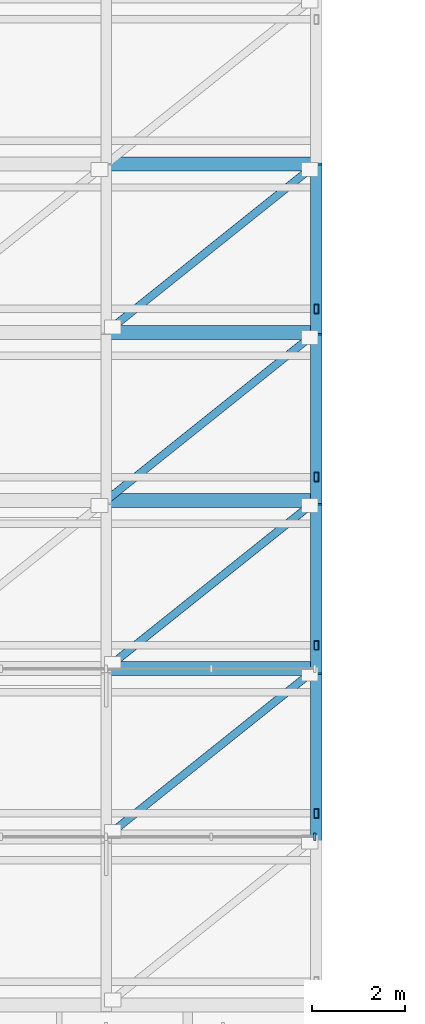
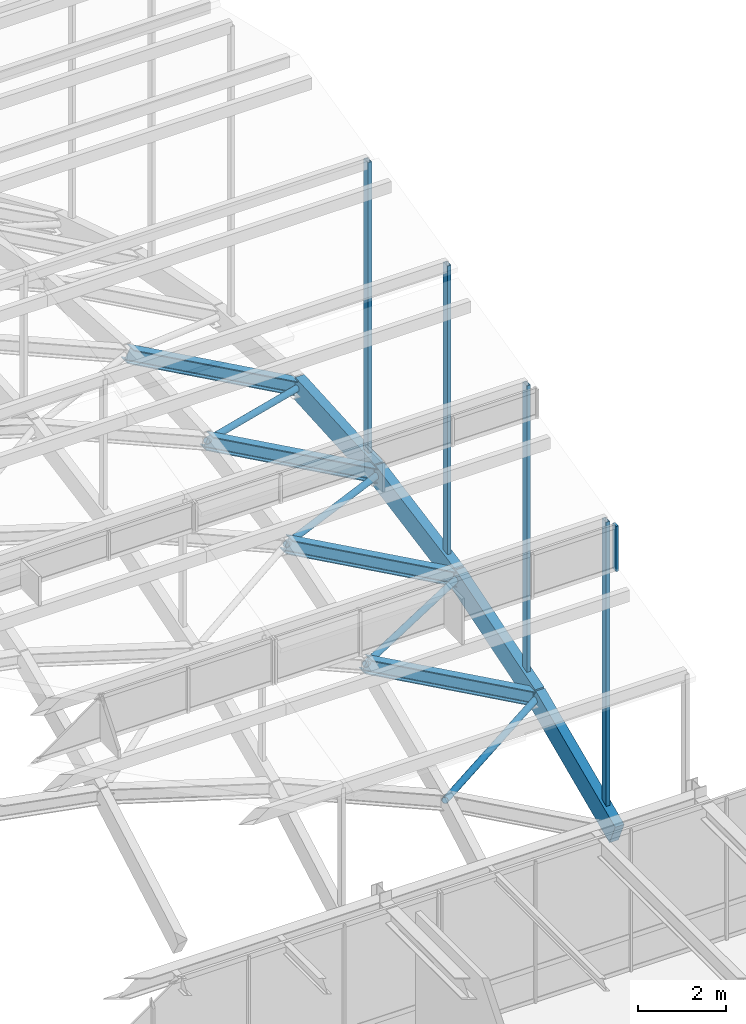
# One storey, part 25 of 69: 9 members, 8 beams, 1 element without a shape of its own.
"""IFC4 building model written with IfcOpenShell, lengths in metres."""

from ifc_helpers import new_model, si_unit, direction, frame, origin, origin_2d, place, context, subcontext, project, spatial, rectangle, hollow_rectangle, hollow_circle, i_section, extrude, material, layer, layer_set, material_profile, profile_set, type_object, element, aggregate, save


model = new_model("IFC4")

# Units and contexts
model_context = context("Model", 3, precision=1e-05, world=origin(), true_north=direction((0.0, 1.0)))
body_context = subcontext(model_context, "Body", "Model", "MODEL_VIEW")
ifc_project = project(units=[si_unit("LENGTHUNIT", "METRE"), si_unit("AREAUNIT", "SQUARE_METRE"), si_unit("VOLUMEUNIT", "CUBIC_METRE"), si_unit("PLANEANGLEUNIT", "RADIAN"), si_unit("MASSUNIT", "GRAM", prefix="KILO")], contexts=[model_context])

# Site, building, storey
site_placement = place(None, origin())
site = spatial("IfcSite", under=ifc_project, at=site_placement, CompositionType="ELEMENT")
building_placement = place(site_placement, origin())
building = spatial("IfcBuilding", under=site, at=building_placement, Name="Montealbar Specialist Clinic", CompositionType="ELEMENT")
storey_placement = place(building_placement, frame((0.0, 0.0, 9.60009765625)))
storey = spatial("IfcBuildingStorey", under=building, at=storey_placement, Name="L02", CompositionType="ELEMENT", Elevation=9.60009765625)

# Beams
ifc_material_1 = material(Name="Steel S355", Category="steel")
ifc_material_profile_1 = material_profile(ifc_material_1, i_section(OverallWidth=0.300048828125, OverallDepth=0.360107421875, WebThickness=0.012451171875, FlangeThickness=0.0224609375, FilletRadius=0.027099609375, at=origin_2d()), Name="HEB 360", Category="steel")
ifc_profile_set_1 = profile_set([ifc_material_profile_1], Name="Steel S355")
beam_type_1 = type_object("IfcBeamType", Name="BM-GIRD-HEB360-EXT", PredefinedType="BEAM", material=ifc_profile_set_1)
for number, where, z_axis, x_axis, name in (
    (1, (94.5, 52.199951171875, 4.703857421875), (0.874579956814, 0.0, -0.484881324799), (0.0, 1.0, 0.0), "Gridshell Roof Truss Arch Rib X 2-9"),
    (2, (94.5, 55.800048828125, 5.837890625), (0.874579956814, 0.0, -0.484881324799), (0.0, 1.0, 0.0), "Gridshell Roof Truss Arch Rib X 3-9"),
    (3, (94.5, 59.39990234375, 6.517822265625), (0.874579956814, 0.0, -0.484881324799), (0.0, 1.0, 0.0), "Gridshell Roof Truss Arch Rib X 4-9"),
    (4, (94.5, 63.0, 6.744873046875), (0.874579956814, 0.0, -0.484881324799), (0.0, 1.0, 0.0), "Gridshell Roof Truss Arch Rib X 5-9"),
):
    element("IfcBeam", number, at=place(storey_placement, frame(where, z_axis=z_axis, x_axis=x_axis)), inside=storey, type_object=beam_type_1, Name=name, PredefinedType="BEAM", context=body_context, shape_type="SweptSolid", body=[
        extrude(i_section(OverallWidth=0.300048828125, OverallDepth=0.360107421875, WebThickness=0.012451171875, FlangeThickness=0.0224609375, FilletRadius=0.027099609375, at=origin_2d()), origin(), (0.0, 0.0, 1.0), 5.145263671875),
    ])
ifc_material_2 = material(Name="Glulam GL28h", Category="wood")
ifc_material_profile_2 = material_profile(ifc_material_2, rectangle(XDim=0.239990234375, YDim=0.639892578125, at=origin_2d()), Name="GL28h 240x640", Category="wood")
ifc_profile_set_2 = profile_set([ifc_material_profile_2], Name="Glulam GL28h")
beam_type_2 = type_object("IfcBeamType", Name="BM-GL-240x640-EXT", PredefinedType="BEAM", material=ifc_profile_set_2)
beam_1_placement = place(storey_placement, frame((99.0, 48.60009765625, 0.620849609375), z_axis=(0.0, 0.914921171359, 0.403632568307), x_axis=(-1.0, 0.0, 0.0)))
element("IfcBeam", 5, at=beam_1_placement, inside=storey, type_object=beam_type_2, Name="Gridshell Glulam Roof Truss Rib Y 10-1", PredefinedType="BEAM", context=body_context, shape_type="SweptSolid", body=[
    extrude(rectangle(XDim=0.239990234375, YDim=0.639892578125, at=origin_2d()), origin(), (0.0, 0.0, 1.0), 3.9345703125),
])
beam_2_placement = place(storey_placement, frame((99.0, 52.199951171875, 2.208984375), z_axis=(0.0, 0.953798460342, 0.300447161826), x_axis=(-1.0, 0.0, 0.0)))
element("IfcBeam", 6, at=beam_2_placement, inside=storey, type_object=beam_type_2, Name="Gridshell Glulam Roof Truss Rib Y 10-2", PredefinedType="BEAM", context=body_context, shape_type="SweptSolid", body=[
    extrude(rectangle(XDim=0.239990234375, YDim=0.639892578125, at=origin_2d()), origin(), (0.0, 0.0, 1.0), 3.7744140625),
])
beam_3_placement = place(storey_placement, frame((99.0, 55.800048828125, 3.343017578125), z_axis=(0.0, 0.982626127294, 0.185596050493), x_axis=(-1.0, 0.0, 0.0)))
element("IfcBeam", 7, at=beam_3_placement, inside=storey, type_object=beam_type_2, Name="Gridshell Glulam Roof Truss Rib Y 10-3", PredefinedType="BEAM", context=body_context, shape_type="SweptSolid", body=[
    extrude(rectangle(XDim=0.239990234375, YDim=0.639892578125, at=origin_2d()), origin(), (0.0, 0.0, 1.0), 3.66357421875),
])
beam_4_placement = place(storey_placement, frame((99.0, 59.39990234375, 4.02294921875), z_axis=(0.0, 0.998017130092, 0.062942895089), x_axis=(-1.0, 0.0, 0.0)))
element("IfcBeam", 8, at=beam_4_placement, inside=storey, type_object=beam_type_2, Name="Gridshell Glulam Roof Truss Rib Y 10-4", PredefinedType="BEAM", context=body_context, shape_type="SweptSolid", body=[
    extrude(rectangle(XDim=0.239990234375, YDim=0.639892578125, at=origin_2d()), origin(), (0.0, 0.0, 1.0), 3.607177734375),
])

# Curtain wall, member
ifc_material_3 = material(Name="Low-E double glazing", Category="glass")
ifc_layer = layer(ifc_material_3, 0.199951171875, Name="Low-E double glazing", Category="glass")
ifc_layer_set = layer_set([ifc_layer], Name="Low-E double glazing")
curtain_wall_type = type_object("IfcCurtainWallType", Name="CW-TYPE-47", PredefinedType="NOTDEFINED", material=ifc_layer_set)
curtain_wall_placement = place(storey_placement, origin())
curtain_wall = element("IfcCurtainWall", 9, at=curtain_wall_placement, inside=storey, type_object=curtain_wall_type, Name="Unitised Curtain Wall CW-L02-900-486-990-486-175", PredefinedType="NOTDEFINED")
ifc_material_4 = material(Name="Anodised aluminium EN AW-6063", Category="aluminium")
ifc_material_profile_3 = material_profile(ifc_material_4, rectangle(XDim=0.06005859375, YDim=0.159912109375, at=origin_2d()), Name="ALU 60x160", Category="aluminium")
ifc_profile_set_3 = profile_set([ifc_material_profile_3], Name="Anodised aluminium EN AW-6063")
member_type_1 = type_object("IfcMemberType", Name="CW-MUL-160", PredefinedType="MULLION", material=ifc_profile_set_3)
member_1_placement = place(storey_placement, frame((98.965087890625, 48.60009765625, 7.933837890625), z_axis=(0.0, 0.0, 1.0), x_axis=(1.0, 0.0, 0.0)))
member_1 = element("IfcMember", 10, at=member_1_placement, type_object=member_type_1, Name="Curtain Wall Mullion CW-L02-900-486-990-486-175-04", PredefinedType="MULLION", context=body_context, shape_type="SweptSolid", body=[
    extrude(rectangle(XDim=0.06005859375, YDim=0.159912109375, at=origin_2d()), origin(), (0.0, 0.0, 1.0), 1.257080078125),
])
aggregate(curtain_wall, [member_1])

# Members
ifc_material_profile_4 = material_profile(ifc_material_1, hollow_circle(Radius=0.084228515625, WallThickness=0.008056640625, at=origin_2d()), Name="CHS 168.3x8.0", Category="steel")
ifc_profile_set_4 = profile_set([ifc_material_profile_4], Name="Steel S355")
member_type_2 = type_object("IfcMemberType", Name="MB-GS-DIAG-EXT", PredefinedType="BRACE", material=ifc_profile_set_4)
member_2_placement = place(storey_placement, frame((94.5, 48.60009765625, 3.115966796875), z_axis=(0.771385674727, 0.617083429571, -0.155474054992), x_axis=(-0.624679547852, 0.780881208953, 0.0)))
element("IfcMember", 11, at=member_2_placement, inside=storey, type_object=member_type_2, Name="Gridshell Roof Brace 9-1", PredefinedType="BRACE", context=body_context, shape_type="SweptSolid", body=[
    extrude(hollow_circle(Radius=0.084228515625, WallThickness=0.008056640625, at=origin_2d()), origin(), (0.0, 0.0, 1.0), 5.833740234375),
])
member_3_placement = place(storey_placement, frame((94.5, 52.199951171875, 4.703857421875), z_axis=(0.759959639654, 0.607984203903, -0.229818523841), x_axis=(-0.624705380279, 0.780860543151, 0.0)))
element("IfcMember", 12, at=member_3_placement, inside=storey, type_object=member_type_2, Name="Gridshell Roof Brace 9-2", PredefinedType="BRACE", context=body_context, shape_type="SweptSolid", body=[
    extrude(hollow_circle(Radius=0.084228515625, WallThickness=0.008056640625, at=origin_2d()), origin(), (0.0, 0.0, 1.0), 5.92138671875),
])
member_4_placement = place(storey_placement, frame((94.5, 55.800048828125, 5.837890625), z_axis=(0.744815123688, 0.595827853667, -0.300399068441), x_axis=(-0.624679547852, 0.780881208953, 0.0)))
element("IfcMember", 13, at=member_4_placement, inside=storey, type_object=member_type_2, Name="Gridshell Roof Brace 9-3", PredefinedType="BRACE", context=body_context, shape_type="SweptSolid", body=[
    extrude(hollow_circle(Radius=0.084228515625, WallThickness=0.008056640625, at=origin_2d()), origin(), (0.0, 0.0, 1.0), 6.041748046875),
])
member_5_placement = place(storey_placement, frame((94.5, 59.39990234375, 6.517822265625), z_axis=(0.726622365972, 0.581313661492, -0.366188973389), x_axis=(-0.624705380279, 0.780860543151, 0.0)))
element("IfcMember", 14, at=member_5_placement, inside=storey, type_object=member_type_2, Name="Gridshell Roof Brace 9-4", PredefinedType="BRACE", context=body_context, shape_type="SweptSolid", body=[
    extrude(hollow_circle(Radius=0.084228515625, WallThickness=0.008056640625, at=origin_2d()), origin(), (0.0, 0.0, 1.0), 6.193115234375),
])
ifc_material_profile_5 = material_profile(ifc_material_1, hollow_rectangle(XDim=0.10009765625, YDim=0.199951171875, WallThickness=0.008056640625, at=origin_2d()), Name="RHS 200x100x8", Category="steel")
ifc_profile_set_5 = profile_set([ifc_material_profile_5], Name="Steel S355")
member_type_3 = type_object("IfcMemberType", Name="MB-GS-PURLIN-ST-EXT", PredefinedType="PURLIN", material=ifc_profile_set_5)
for number, where, z_axis, x_axis, name in (
    (15, (99.0, 49.10009765625, 0.620849609375), (0.0, 0.0, 1.0), (1.0, 0.0, 0.0), "Gridshell Monitor Post 2-10"),
    (16, (99.0, 52.699951171875, 2.208984375), (0.0, 0.0, 1.0), (1.0, 0.0, 0.0), "Gridshell Monitor Post 3-10"),
    (17, (99.0, 56.300048828125, 3.343017578125), (0.0, 0.0, 1.0), (1.0, 0.0, 0.0), "Gridshell Monitor Post 4-10"),
    (18, (99.0, 59.89990234375, 4.02294921875), (0.0, 0.0, 1.0), (1.0, 0.0, 0.0), "Gridshell Monitor Post 5-10"),
):
    element("IfcMember", number, at=place(storey_placement, frame(where, z_axis=z_axis, x_axis=x_axis)), inside=storey, type_object=member_type_3, Name=name, PredefinedType="PURLIN", context=body_context, shape_type="SweptSolid", body=[
        extrude(hollow_rectangle(XDim=0.10009765625, YDim=0.199951171875, WallThickness=0.008056640625, at=origin_2d()), origin(), (0.0, 0.0, 1.0), 8.386962890625),
    ])

save(model, "model.ifc")
